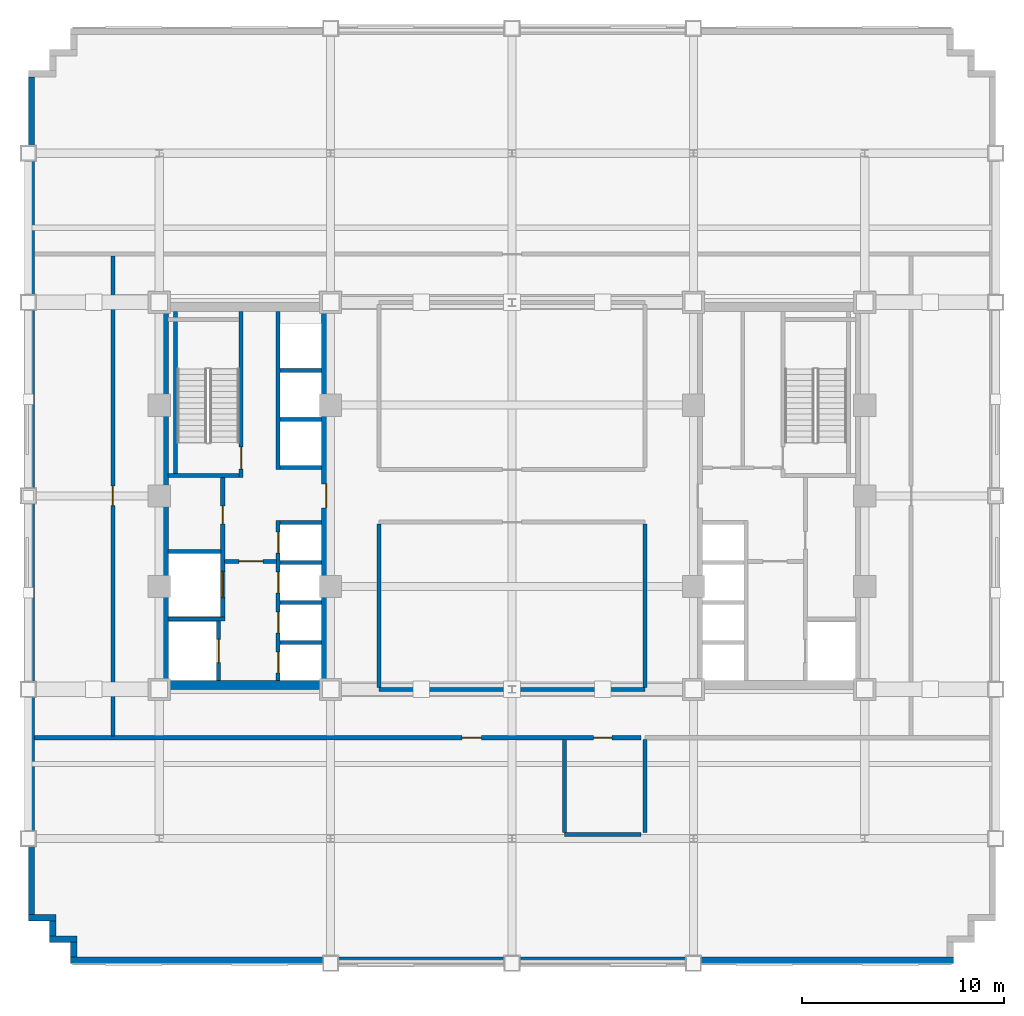
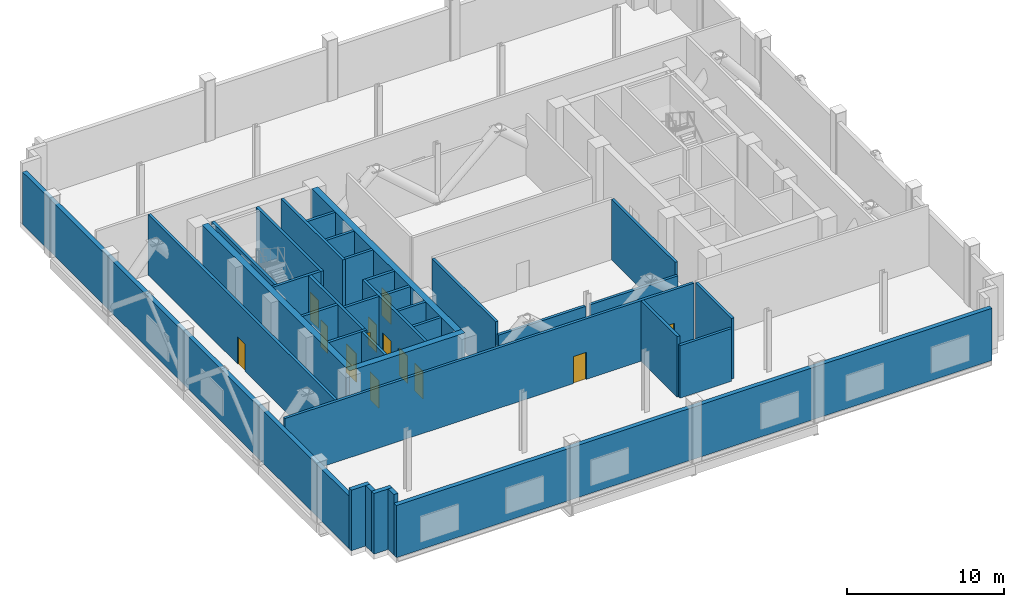
# One storey, part 6 of 12: 35 walls, 13 doors, 13 openings.
"""IFC4 building model written with IfcOpenShell, lengths in metres."""

from ifc_helpers import new_model, si_unit, direction, frame, frame_2d, origin, place, context, subcontext, project, spatial, rectangle, extrude, source, transform, mapped, material, layer, layer_set, type_object, type_shapes, element, fill, save


model = new_model("IFC4")

# Units and contexts
model_context = context("Model", 3, precision=1e-05, world=origin(), true_north=direction((0.0, 1.0)))
body_context = subcontext(model_context, "Body", "Model", "MODEL_VIEW")
ifc_project = project(units=[si_unit("LENGTHUNIT", "METRE"), si_unit("AREAUNIT", "SQUARE_METRE"), si_unit("VOLUMEUNIT", "CUBIC_METRE"), si_unit("PLANEANGLEUNIT", "RADIAN"), si_unit("MASSUNIT", "GRAM", prefix="KILO")], contexts=[model_context])

# Site, building, storey
site_placement = place(None, origin())
site = spatial("IfcSite", under=ifc_project, at=site_placement, CompositionType="ELEMENT")
building_placement = place(site_placement, origin())
building = spatial("IfcBuilding", under=site, at=building_placement, Name="Nuvemarco Arch Tower", CompositionType="ELEMENT")
storey_placement = place(building_placement, frame((0.0, 0.0, 93.300048828125)))
storey = spatial("IfcBuildingStorey", under=building, at=storey_placement, Name="L24", CompositionType="ELEMENT", Elevation=93.300048828125)

# Walls
ifc_material_1 = material(Name="Precast concrete C45/55", Category="concrete")
ifc_layer_1 = layer(ifc_material_1, 0.320068359375, Name="EW-MID-320")
ifc_layer_set_1 = layer_set([ifc_layer_1], Name="Precast concrete C45/55")
wall_type_1 = type_object("IfcWallType", Name="EW-MID-320", PredefinedType="STANDARD", material=ifc_layer_set_1)
wall_1_placement = place(storey_placement, frame((-21.89990234375, -23.0400390625, 0.0), z_axis=(0.0, 0.0, 1.0), x_axis=(1.0, 0.0, 0.0)))
element("IfcWall", 1, at=wall_1_placement, inside=storey, type_object=wall_type_1, Name="L24 exterior precast facade wall 1", PredefinedType="STANDARD", context=body_context, shape_type="SweptSolid", body=[
    extrude(rectangle(XDim=43.7998046875, YDim=0.320068359375, at=frame_2d((21.89990234375, 0.0))), origin(), (0.0, 0.0, 1.0), 4.054931640625),
])
wall_2_placement = place(storey_placement, frame((-23.840087890625, -20.783935546875, 0.0), z_axis=(0.0, 0.0, 1.0), x_axis=(0.0, 1.0, 0.0)))
element("IfcWall", 2, at=wall_2_placement, inside=storey, type_object=wall_type_1, Name="L24 exterior precast facade wall 16", PredefinedType="STANDARD", context=body_context, shape_type="SweptSolid", body=[
    extrude(rectangle(XDim=41.56787109375, YDim=0.320068359375, at=frame_2d((20.783935546875, 0.0))), origin(), (0.0, 0.0, 1.0), 4.054931640625),
])
wall_3_placement = place(storey_placement, frame((-24.0, -20.93994140625, 0.0), z_axis=(0.0, 0.0, 1.0), x_axis=(1.0, 0.0, 0.0)))
element("IfcWall", 3, at=wall_3_placement, inside=storey, type_object=wall_type_1, Name="L24 exterior precast facade wall 17", PredefinedType="STANDARD", context=body_context, shape_type="SweptSolid", body=[
    extrude(rectangle(XDim=1.3701171875, YDim=0.320068359375, at=frame_2d((0.68505859375, 0.0))), origin(), (0.0, 0.0, 1.0), 4.7099609375),
])
wall_4_placement = place(storey_placement, frame((-22.7900390625, -21.833984375, 0.0), z_axis=(0.0, 0.0, 1.0), x_axis=(0.0, 1.0, 0.0)))
element("IfcWall", 4, at=wall_4_placement, inside=storey, type_object=wall_type_1, Name="L24 exterior precast facade wall 18", PredefinedType="STANDARD", context=body_context, shape_type="SweptSolid", body=[
    extrude(rectangle(XDim=0.738037109375, YDim=0.320068359375, at=frame_2d((0.369140625, 0.0))), origin(), (0.0, 0.0, 1.0), 4.7099609375),
])
wall_5_placement = place(storey_placement, frame((-22.949951171875, -21.989990234375, 0.0), z_axis=(0.0, 0.0, 1.0), x_axis=(1.0, 0.0, 0.0)))
element("IfcWall", 5, at=wall_5_placement, inside=storey, type_object=wall_type_1, Name="L24 exterior precast facade wall 19", PredefinedType="STANDARD", context=body_context, shape_type="SweptSolid", body=[
    extrude(rectangle(XDim=1.369873046875, YDim=0.320068359375, at=frame_2d((0.68505859375, 0.0))), origin(), (0.0, 0.0, 1.0), 4.7099609375),
])
wall_6_placement = place(storey_placement, frame((-21.739990234375, -22.884033203125, 0.0), z_axis=(0.0, 0.0, 1.0), x_axis=(0.0, 1.0, 0.0)))
element("IfcWall", 6, at=wall_6_placement, inside=storey, type_object=wall_type_1, Name="L24 exterior precast facade wall 20", PredefinedType="STANDARD", context=body_context, shape_type="SweptSolid", body=[
    extrude(rectangle(XDim=0.738037109375, YDim=0.320068359375, at=frame_2d((0.369140625, 0.0))), origin(), (0.0, 0.0, 1.0), 4.7099609375),
])
ifc_material_2 = material(Name="Concrete C60/75", Category="concrete")
ifc_layer_2 = layer(ifc_material_2, 0.449951171875, Name="WL-CORE-450")
ifc_layer_set_2 = layer_set([ifc_layer_2], Name="Concrete C60/75")
wall_type_2 = type_object("IfcWallType", Name="WL-CORE-450", PredefinedType="SHEAR", material=ifc_layer_set_2)
wall_7_placement = place(storey_placement, frame((-17.5, -9.375, 0.0), z_axis=(0.0, 0.0, 1.0), x_axis=(1.0, 0.0, 0.0)))
element("IfcWall", 7, at=wall_7_placement, inside=storey, type_object=wall_type_2, Name="L24 W-core shear wall S", PredefinedType="SHEAR", context=body_context, shape_type="SweptSolid", body=[
    extrude(rectangle(XDim=8.5, YDim=0.449951171875, at=frame_2d((4.25, 0.0))), origin(), (0.0, 0.0, 1.0), 4.719970703125),
])
wall_8_placement = place(storey_placement, frame((-17.27490234375, -9.155029296875, 0.0), z_axis=(0.0, 0.0, 1.0), x_axis=(0.0, 1.0, 0.0)))
element("IfcWall", 8, at=wall_8_placement, inside=storey, type_object=wall_type_2, Name="L24 W-core shear wall W", PredefinedType="SHEAR", context=body_context, shape_type="SweptSolid", body=[
    extrude(rectangle(XDim=18.31005859375, YDim=0.449951171875, at=frame_2d((9.155029296875, 0.0))), origin(), (0.0, 0.0, 1.0), 4.719970703125),
])

# Wall, opening, door
wall_9_placement = place(storey_placement, frame((-9.22509765625, -9.155029296875, 0.0), z_axis=(0.0, 0.0, 1.0), x_axis=(0.0, 1.0, 0.0)))
wall_9 = element("IfcWall", 9, at=wall_9_placement, inside=storey, type_object=wall_type_2, Name="L24 W-core shear wall E", PredefinedType="SHEAR", context=body_context, shape_type="SweptSolid", body=[
    extrude(rectangle(XDim=18.31005859375, YDim=0.449951171875, at=frame_2d((9.155029296875, 0.0))), origin(), (0.0, 0.0, 1.0), 4.719970703125),
])
opening_1_placement = place(wall_9_placement, frame((8.554931640625, 0.0, 0.0)))
opening_1 = element("IfcOpeningElement", 10, at=opening_1_placement, cuts=wall_9, Name="Opening FD-2", PredefinedType="OPENING", context=body_context, shape_type="SweptSolid", body=[
    extrude(rectangle(XDim=1.199951171875, YDim=2.14990234375, at=frame_2d((0.60009765625, 1.074951171875))), frame((0.0, 0.23486328125, 0.0), z_axis=(0.0, -1.0, 0.0), x_axis=(1.0, 0.0, 0.0)), (0.0, 0.0, 1.0), 0.469970703125),
])
ifc_material_3 = material(Name="Anodised steel fire door", Category="steel")
door_type_1 = type_object("IfcDoorType", Name="DR-FFLOB-FD", OperationType="NOTDEFINED", PredefinedType="DOOR", material=ifc_material_3)
shared_shape_1 = source(origin(), body_context, "Body", "SweptSolid", [
    extrude(rectangle(XDim=1.199951171875, YDim=2.14990234375, at=frame_2d((0.60009765625, 1.074951171875))), frame((0.0, 0.02490234375, 0.0), z_axis=(0.0, -1.0, 0.0), x_axis=(1.0, 0.0, 0.0)), (0.0, 0.0, 1.0), 0.050048828125),
])
type_shapes(door_type_1, [shared_shape_1])
door_1_placement = place(opening_1_placement, origin())
door_1 = element("IfcDoor", 11, at=door_1_placement, inside=storey, type_object=door_type_1, Name="L24 door FD-L24-WCORE-E", OperationType="SINGLE_SWING_RIGHT", OverallHeight=2.14990234375, OverallWidth=1.199951171875, PredefinedType="DOOR", context=body_context, shape_type="MappedRepresentation", body=[
    mapped(shared_shape_1, transform((0.0, 0.0, 0.0), scale=1.0)),
])
fill(opening_1, door_1)

# Wall
ifc_layer_3 = layer(ifc_material_1, 0.199951171875, Name="WL-PLANT-200")
ifc_layer_set_3 = layer_set([ifc_layer_3], Name="Precast concrete C45/55")
wall_type_3 = type_object("IfcWallType", Name="WL-PLANT-200", PredefinedType="STANDARD", material=ifc_layer_set_3)
wall_10_placement = place(storey_placement, frame((2.60009765625, -16.800048828125, 0.0), z_axis=(0.0, 0.0, 1.0), x_axis=(1.0, 0.0, 0.0)))
element("IfcWall", 12, at=wall_10_placement, inside=storey, type_object=wall_type_3, Name="L24 interior wall IW-L24-001", PredefinedType="STANDARD", context=body_context, shape_type="SweptSolid", body=[
    extrude(rectangle(XDim=3.7998046875, YDim=0.199951171875, at=frame_2d((1.89990234375, 0.0))), origin(), (0.0, 0.0, 1.0), 4.087890625),
])

# Wall, openings, doors
wall_11_placement = place(storey_placement, frame((-23.679931640625, -12.0, 0.0), z_axis=(0.0, 0.0, 1.0), x_axis=(1.0, 0.0, 0.0)))
wall_11 = element("IfcWall", 13, at=wall_11_placement, inside=storey, type_object=wall_type_3, Name="L24 interior wall IW-L24-002", PredefinedType="STANDARD", context=body_context, shape_type="SweptSolid", body=[
    extrude(rectangle(XDim=30.079833984375, YDim=0.199951171875, at=frame_2d((15.0400390625, 0.0))), origin(), (0.0, 0.0, 1.0), 4.7099609375),
])
opening_2_placement = place(wall_11_placement, frame((21.199951171875, 0.0, 0.0)))
opening_2 = element("IfcOpeningElement", 14, at=opening_2_placement, cuts=wall_11, Name="Opening FD-5", PredefinedType="OPENING", context=body_context, shape_type="SweptSolid", body=[
    extrude(rectangle(XDim=0.9599609375, YDim=2.10009765625, at=frame_2d((0.47998046875, 1.050048828125))), frame((0.0, 0.10986328125, 0.0), z_axis=(0.0, -1.0, 0.0), x_axis=(1.0, 0.0, 0.0)), (0.0, 0.0, 1.0), 0.219970703125),
])
opening_3_placement = place(wall_11_placement, frame((27.72998046875, 0.0, 0.0)))
opening_3 = element("IfcOpeningElement", 15, at=opening_3_placement, cuts=wall_11, Name="Opening ID-3", PredefinedType="OPENING", context=body_context, shape_type="SweptSolid", body=[
    extrude(rectangle(XDim=0.89990234375, YDim=2.10009765625, at=frame_2d((0.449951171875, 1.050048828125))), frame((0.0, 0.10986328125, 0.0), z_axis=(0.0, -1.0, 0.0), x_axis=(1.0, 0.0, 0.0)), (0.0, 0.0, 1.0), 0.219970703125),
])
ifc_material_4 = material(Name="Timber fire door", Category="wood")
door_type_2 = type_object("IfcDoorType", Name="DR-CORR-FD", OperationType="NOTDEFINED", PredefinedType="DOOR", material=ifc_material_4)
shared_shape_2 = source(origin(), body_context, "Body", "SweptSolid", [
    extrude(rectangle(XDim=0.9599609375, YDim=2.10009765625, at=frame_2d((0.47998046875, 1.050048828125))), frame((0.0, 0.02490234375, 0.0), z_axis=(0.0, -1.0, 0.0), x_axis=(1.0, 0.0, 0.0)), (0.0, 0.0, 1.0), 0.050048828125),
])
type_shapes(door_type_2, [shared_shape_2])
door_2_placement = place(opening_2_placement, origin())
door_2 = element("IfcDoor", 16, at=door_2_placement, inside=storey, type_object=door_type_2, Name="L24 door DR-L24-REF_SOUTH", OperationType="SINGLE_SWING_LEFT", OverallHeight=2.10009765625, OverallWidth=0.9599609375, PredefinedType="DOOR", context=body_context, shape_type="MappedRepresentation", body=[
    mapped(shared_shape_2, transform((0.0, 0.0, 0.0), scale=1.0)),
])
fill(opening_2, door_2)
ifc_material_5 = material(Name="Veneered oak timber fire door", Category="wood")
door_type_3 = type_object("IfcDoorType", Name="DR-WC-ACC", OperationType="NOTDEFINED", PredefinedType="DOOR", material=ifc_material_5)
shared_shape_3 = source(origin(), body_context, "Body", "SweptSolid", [
    extrude(rectangle(XDim=0.89990234375, YDim=2.10009765625, at=frame_2d((0.449951171875, 1.050048828125))), frame((0.0, 0.02490234375, 0.0), z_axis=(0.0, -1.0, 0.0), x_axis=(1.0, 0.0, 0.0)), (0.0, 0.0, 1.0), 0.050048828125),
])
type_shapes(door_type_3, [shared_shape_3])
door_3_placement = place(opening_3_placement, origin())
door_3 = element("IfcDoor", 17, at=door_3_placement, inside=storey, type_object=door_type_3, Name="L24 door DR-L24-REF_WC", OperationType="SINGLE_SWING_RIGHT", OverallHeight=2.10009765625, OverallWidth=0.89990234375, PredefinedType="DOOR", context=body_context, shape_type="MappedRepresentation", body=[
    mapped(shared_shape_3, transform((0.0, 0.0, 0.0), scale=1.0)),
])
fill(opening_3, door_3)

# Walls
for number, where, z_axis, x_axis, name in (
    (18, (-6.60009765625, -9.60009765625, 0.0), (0.0, 0.0, 1.0), (1.0, 0.0, 0.0), "L24 interior wall IW-L24-004"),
    (19, (0.176025390625, -9.60009765625, 0.0), (0.0, 0.0, 1.0), (1.0, 0.0, 0.0), "L24 interior wall IW-L24-005"),
):
    element("IfcWall", number, at=place(storey_placement, frame(where, z_axis=z_axis, x_axis=x_axis)), inside=storey, type_object=wall_type_3, Name=name, PredefinedType="STANDARD", context=body_context, shape_type="SweptSolid", body=[
        extrude(rectangle(XDim=6.424072265625, YDim=0.199951171875, at=frame_2d((3.2119140625, 0.0))), origin(), (0.0, 0.0, 1.0), 3.7548828125),
    ])

# Wall, opening, door
wall_12_placement = place(storey_placement, frame((-19.800048828125, -11.904052734375, 0.0), z_axis=(0.0, 0.0, 1.0), x_axis=(0.0, 1.0, 0.0)))
wall_12 = element("IfcWall", 20, at=wall_12_placement, inside=storey, type_object=wall_type_3, Name="L24 interior wall IW-L24-011", PredefinedType="STANDARD", context=body_context, shape_type="SweptSolid", body=[
    extrude(rectangle(XDim=23.80810546875, YDim=0.199951171875, at=frame_2d((11.904052734375, 0.0))), origin(), (0.0, 0.0, 1.0), 4.7099609375),
])
opening_4_placement = place(wall_12_placement, frame((11.424072265625, 0.0, 0.0)))
opening_4 = element("IfcOpeningElement", 21, at=opening_4_placement, cuts=wall_12, Name="Opening FD-5", PredefinedType="OPENING", context=body_context, shape_type="SweptSolid", body=[
    extrude(rectangle(XDim=0.9599609375, YDim=2.10009765625, at=frame_2d((0.47998046875, 1.050048828125))), frame((0.0, 0.10986328125, 0.0), z_axis=(0.0, -1.0, 0.0), x_axis=(1.0, 0.0, 0.0)), (0.0, 0.0, 1.0), 0.219970703125),
])
door_4_placement = place(opening_4_placement, origin())
door_4 = element("IfcDoor", 22, at=door_4_placement, inside=storey, type_object=door_type_2, Name="L24 door DR-L24-PL_AHU", OperationType="SINGLE_SWING_RIGHT", OverallHeight=2.10009765625, OverallWidth=0.9599609375, PredefinedType="DOOR", context=body_context, shape_type="MappedRepresentation", body=[
    mapped(shared_shape_2, transform((0.0, 0.0, 0.0), scale=1.0)),
])
fill(opening_4, door_4)

# Walls
wall_13_placement = place(storey_placement, frame((-6.60009765625, -9.50390625, 0.0), z_axis=(0.0, 0.0, 1.0), x_axis=(0.0, 1.0, 0.0)))
element("IfcWall", 23, at=wall_13_placement, inside=storey, type_object=wall_type_3, Name="L24 interior wall IW-L24-012", PredefinedType="STANDARD", context=body_context, shape_type="SweptSolid", body=[
    extrude(rectangle(XDim=8.10791015625, YDim=0.199951171875, at=frame_2d((4.053955078125, 0.0))), origin(), (0.0, 0.0, 1.0), 4.7099609375),
])
for number, where, z_axis, x_axis, name in (
    (24, (2.60009765625, -16.7041015625, 0.0), (0.0, 0.0, 1.0), (0.0, 1.0, 0.0), "L24 interior wall IW-L24-014"),
    (25, (6.60009765625, -16.7041015625, 0.0), (0.0, 0.0, 1.0), (0.0, 1.0, 0.0), "L24 interior wall IW-L24-015"),
):
    element("IfcWall", number, at=place(storey_placement, frame(where, z_axis=z_axis, x_axis=x_axis)), inside=storey, type_object=wall_type_3, Name=name, PredefinedType="STANDARD", context=body_context, shape_type="SweptSolid", body=[
        extrude(rectangle(XDim=4.608154296875, YDim=0.199951171875, at=frame_2d((2.30419921875, 0.0))), origin(), (0.0, 0.0, 1.0), 4.7099609375),
    ])
wall_14_placement = place(storey_placement, frame((6.60009765625, -9.50390625, 0.0), z_axis=(0.0, 0.0, 1.0), x_axis=(0.0, 1.0, 0.0)))
element("IfcWall", 26, at=wall_14_placement, inside=storey, type_object=wall_type_3, Name="L24 interior wall IW-L24-016", PredefinedType="STANDARD", context=body_context, shape_type="SweptSolid", body=[
    extrude(rectangle(XDim=8.10791015625, YDim=0.199951171875, at=frame_2d((4.053955078125, 0.0))), origin(), (0.0, 0.0, 1.0), 4.7099609375),
])

# Wall, opening, door
ifc_material_6 = material(Name="Concrete C50/60", Category="concrete")
ifc_layer_4 = layer(ifc_material_6, 0.199951171875, Name="WL-SHAFT-220")
ifc_layer_set_4 = layer_set([ifc_layer_4], Name="Concrete C50/60")
wall_type_4 = type_object("IfcWallType", Name="WL-SHAFT-220", PredefinedType="SHEAR", material=ifc_layer_set_4)
wall_15_placement = place(storey_placement, frame((-13.43994140625, 0.89990234375, 0.0), z_axis=(0.0, 0.0, 1.0), x_axis=(0.0, 1.0, 0.0)))
wall_15 = element("IfcWall", 27, at=wall_15_placement, inside=storey, type_object=wall_type_4, Name="L24 structural shaft wall SW-L24-W-ST1E", PredefinedType="SHEAR", context=body_context, shape_type="SweptSolid", body=[
    extrude(rectangle(XDim=8.255126953125, YDim=0.199951171875, at=frame_2d((4.12744140625, 0.0))), origin(), (0.0, 0.0, 1.0), 4.719970703125),
])
opening_5_placement = place(wall_15_placement, frame((1.530029296875, 0.0, 0.0), z_axis=(0.0, 0.0, 1.0), x_axis=(-1.0, 0.0, 0.0)))
opening_5 = element("IfcOpeningElement", 28, at=opening_5_placement, cuts=wall_15, Name="Opening FD-1", PredefinedType="OPENING", context=body_context, shape_type="SweptSolid", body=[
    extrude(rectangle(XDim=1.10009765625, YDim=2.14990234375, at=frame_2d((0.550048828125, 1.074951171875))), frame((0.0, 0.10986328125, 0.0), z_axis=(0.0, -1.0, 0.0), x_axis=(1.0, 0.0, 0.0)), (0.0, 0.0, 1.0), 0.219970703125),
])
door_type_4 = type_object("IfcDoorType", Name="DR-STAIR-FD", OperationType="NOTDEFINED", PredefinedType="DOOR", material=ifc_material_3)
shared_shape_4 = source(origin(), body_context, "Body", "SweptSolid", [
    extrude(rectangle(XDim=1.10009765625, YDim=2.14990234375, at=frame_2d((0.550048828125, 1.074951171875))), frame((0.0, 0.02490234375, 0.0), z_axis=(0.0, -1.0, 0.0), x_axis=(1.0, 0.0, 0.0)), (0.0, 0.0, 1.0), 0.050048828125),
])
type_shapes(door_type_4, [shared_shape_4])
door_5_placement = place(opening_5_placement, origin())
door_5 = element("IfcDoor", 29, at=door_5_placement, inside=storey, type_object=door_type_4, Name="L24 door FD-L24-ST1", OperationType="SINGLE_SWING_RIGHT", OverallHeight=2.14990234375, OverallWidth=1.10009765625, PredefinedType="DOOR", context=body_context, shape_type="MappedRepresentation", body=[
    mapped(shared_shape_4, transform((0.0, 0.0, 0.0), scale=1.0)),
])
fill(opening_5, door_5)

# Walls
wall_16_placement = place(storey_placement, frame((-17.054931640625, 1.0, 0.0), z_axis=(0.0, 0.0, 1.0), x_axis=(1.0, 0.0, 0.0)))
element("IfcWall", 30, at=wall_16_placement, inside=storey, type_object=wall_type_4, Name="L24 structural shaft wall SW-L24-W-ST1S", PredefinedType="SHEAR", context=body_context, shape_type="SweptSolid", body=[
    extrude(rectangle(XDim=3.52001953125, YDim=0.199951171875, at=frame_2d((1.760009765625, 0.0))), origin(), (0.0, 0.0, 1.0), 4.719970703125),
])
wall_17_placement = place(storey_placement, frame((-16.699951171875, 1.094970703125, 0.0), z_axis=(0.0, 0.0, 1.0), x_axis=(0.0, 1.0, 0.0)))
element("IfcWall", 31, at=wall_17_placement, inside=storey, type_object=wall_type_4, Name="L24 structural shaft wall SW-L24-W-ST1W", PredefinedType="SHEAR", context=body_context, shape_type="SweptSolid", body=[
    extrude(rectangle(XDim=8.06005859375, YDim=0.199951171875, at=frame_2d((4.030029296875, 0.0))), origin(), (0.0, 0.0, 1.0), 4.719970703125),
])

# Wall, opening, door
wall_18_placement = place(storey_placement, frame((-14.550048828125, -9.155029296875, 0.0), z_axis=(0.0, 0.0, 1.0), x_axis=(0.0, 1.0, 0.0)))
wall_18 = element("IfcWall", 32, at=wall_18_placement, inside=storey, type_object=wall_type_4, Name="L24 structural shaft wall SW-L24-W-SHE", PredefinedType="SHEAR", context=body_context, shape_type="SweptSolid", body=[
    extrude(rectangle(XDim=2.9599609375, YDim=0.199951171875, at=frame_2d((1.47998046875, 0.0))), origin(), (0.0, 0.0, 1.0), 4.719970703125),
])
opening_6_placement = place(wall_18_placement, frame((0.8798828125, 0.0, 0.0)))
opening_6 = element("IfcOpeningElement", 33, at=opening_6_placement, cuts=wall_18, Name="Opening LD-2", PredefinedType="OPENING", context=body_context, shape_type="SweptSolid", body=[
    extrude(rectangle(XDim=1.14990234375, YDim=2.14990234375, at=frame_2d((0.574951171875, 1.074951171875))), frame((0.0, 0.10986328125, 0.0), z_axis=(0.0, -1.0, 0.0), x_axis=(1.0, 0.0, 0.0)), (0.0, 0.0, 1.0), 0.219970703125),
])
ifc_material_7 = material(Name="Stainless steel lift door", Category="steel")
door_type_5 = type_object("IfcDoorType", Name="DR-LIFT-FIRE", OperationType="DOUBLE_DOOR_SLIDING", PredefinedType="DOOR", material=ifc_material_7)
shared_shape_5 = source(origin(), body_context, "Body", "SweptSolid", [
    extrude(rectangle(XDim=1.14990234375, YDim=2.14990234375, at=frame_2d((0.574951171875, 1.074951171875))), frame((0.0, 0.02490234375, 0.0), z_axis=(0.0, -1.0, 0.0), x_axis=(1.0, 0.0, 0.0)), (0.0, 0.0, 1.0), 0.050048828125),
])
type_shapes(door_type_5, [shared_shape_5])
door_6_placement = place(opening_6_placement, origin())
door_6 = element("IfcDoor", 34, at=door_6_placement, inside=storey, type_object=door_type_5, Name="L24 Lift landing sliding door FFL-1", OperationType="DOUBLE_DOOR_SLIDING", OverallHeight=2.14990234375, OverallWidth=1.14990234375, PredefinedType="DOOR", context=body_context, shape_type="MappedRepresentation", body=[
    mapped(shared_shape_5, transform((0.0, 0.0, 0.0), scale=1.0)),
])
fill(opening_6, door_6)

# Wall, openings, doors
wall_19_placement = place(storey_placement, frame((-14.35009765625, -6.199951171875, 0.0), z_axis=(0.0, 0.0, 1.0), x_axis=(0.0, 1.0, 0.0)))
wall_19 = element("IfcWall", 35, at=wall_19_placement, inside=storey, type_object=wall_type_4, Name="L24 structural shaft wall SW-L24-W-SVE", PredefinedType="SHEAR", context=body_context, shape_type="SweptSolid", body=[
    extrude(rectangle(XDim=7.10498046875, YDim=0.199951171875, at=frame_2d((3.552490234375, 0.0))), origin(), (0.0, 0.0, 1.0), 4.719970703125),
])
opening_7_placement = place(wall_19_placement, frame((5.68994140625, 0.0, 0.0), z_axis=(0.0, 0.0, 1.0), x_axis=(-1.0, 0.0, 0.0)))
opening_7 = element("IfcOpeningElement", 36, at=opening_7_placement, cuts=wall_19, Name="Opening FD-4", PredefinedType="OPENING", context=body_context, shape_type="SweptSolid", body=[
    extrude(rectangle(XDim=0.8798828125, YDim=2.10009765625, at=frame_2d((0.43994140625, 1.050048828125))), frame((0.0, 0.10986328125, 0.0), z_axis=(0.0, -1.0, 0.0), x_axis=(1.0, 0.0, 0.0)), (0.0, 0.0, 1.0), 0.219970703125),
])
opening_8_placement = place(wall_19_placement, frame((1.14990234375, 0.0, 0.0)))
opening_8 = element("IfcOpeningElement", 37, at=opening_8_placement, cuts=wall_19, Name="Opening LD-3", PredefinedType="OPENING", context=body_context, shape_type="SweptSolid", body=[
    extrude(rectangle(XDim=1.300048828125, YDim=2.199951171875, at=frame_2d((0.64990234375, 1.10009765625))), frame((0.0, 0.10986328125, 0.0), z_axis=(0.0, -1.0, 0.0), x_axis=(1.0, 0.0, 0.0)), (0.0, 0.0, 1.0), 0.219970703125),
])
door_type_6 = type_object("IfcDoorType", Name="DR-RISER-FD", OperationType="NOTDEFINED", PredefinedType="DOOR", material=ifc_material_3)
shared_shape_6 = source(origin(), body_context, "Body", "SweptSolid", [
    extrude(rectangle(XDim=0.8798828125, YDim=2.10009765625, at=frame_2d((0.43994140625, 1.050048828125))), frame((0.0, 0.02490234375, 0.0), z_axis=(0.0, -1.0, 0.0), x_axis=(1.0, 0.0, 0.0)), (0.0, 0.0, 1.0), 0.050048828125),
])
type_shapes(door_type_6, [shared_shape_6])
door_7_placement = place(opening_7_placement, origin())
door_7 = element("IfcDoor", 38, at=door_7_placement, inside=storey, type_object=door_type_6, Name="L24 door FD-L24-WRIS", OperationType="SINGLE_SWING_RIGHT", OverallHeight=2.10009765625, OverallWidth=0.8798828125, PredefinedType="DOOR", context=body_context, shape_type="MappedRepresentation", body=[
    mapped(shared_shape_6, transform((0.0, 0.0, 0.0), scale=1.0)),
])
fill(opening_7, door_7)
door_type_7 = type_object("IfcDoorType", Name="DR-LIFT-SERV", OperationType="DOUBLE_DOOR_SLIDING", PredefinedType="DOOR", material=ifc_material_7)
shared_shape_7 = source(origin(), body_context, "Body", "SweptSolid", [
    extrude(rectangle(XDim=1.300048828125, YDim=2.199951171875, at=frame_2d((0.64990234375, 1.10009765625))), frame((0.0, 0.02490234375, 0.0), z_axis=(0.0, -1.0, 0.0), x_axis=(1.0, 0.0, 0.0)), (0.0, 0.0, 1.0), 0.050048828125),
])
type_shapes(door_type_7, [shared_shape_7])
door_8_placement = place(opening_8_placement, origin())
door_8 = element("IfcDoor", 39, at=door_8_placement, inside=storey, type_object=door_type_7, Name="L24 Lift landing sliding door SVL-1", OperationType="DOUBLE_DOOR_SLIDING", OverallHeight=2.199951171875, OverallWidth=1.300048828125, PredefinedType="DOOR", context=body_context, shape_type="MappedRepresentation", body=[
    mapped(shared_shape_7, transform((0.0, 0.0, 0.0), scale=1.0)),
])
fill(opening_8, door_8)

# Walls
wall_20_placement = place(storey_placement, frame((-17.054931640625, -6.10009765625, 0.0), z_axis=(0.0, 0.0, 1.0), x_axis=(1.0, 0.0, 0.0)))
element("IfcWall", 40, at=wall_20_placement, inside=storey, type_object=wall_type_4, Name="L24 structural shaft wall SW-L24-W-SH1", PredefinedType="SHEAR", context=body_context, shape_type="SweptSolid", body=[
    extrude(rectangle(XDim=2.804931640625, YDim=0.199951171875, at=frame_2d((1.40234375, 0.0))), origin(), (0.0, 0.0, 1.0), 4.719970703125),
])
wall_21_placement = place(storey_placement, frame((-17.054931640625, -2.75, 0.0), z_axis=(0.0, 0.0, 1.0), x_axis=(1.0, 0.0, 0.0)))
element("IfcWall", 41, at=wall_21_placement, inside=storey, type_object=wall_type_4, Name="L24 structural shaft wall SW-L24-W-SH2", PredefinedType="SHEAR", context=body_context, shape_type="SweptSolid", body=[
    extrude(rectangle(XDim=2.60986328125, YDim=0.199951171875, at=frame_2d((1.304931640625, 0.0))), origin(), (0.0, 0.0, 1.0), 4.719970703125),
])

# Wall, openings, doors
wall_22_placement = place(storey_placement, frame((-11.60009765625, -9.155029296875, 0.0), z_axis=(0.0, 0.0, 1.0), x_axis=(0.0, 1.0, 0.0)))
wall_22 = element("IfcWall", 42, at=wall_22_placement, inside=storey, type_object=wall_type_4, Name="L24 structural shaft wall SW-L24-W-PLW", PredefinedType="SHEAR", context=body_context, shape_type="SweptSolid", body=[
    extrude(rectangle(XDim=7.925048828125, YDim=0.199951171875, at=frame_2d((3.96240234375, 0.0))), origin(), (0.0, 0.0, 1.0), 4.719970703125),
])
opening_9_placement = place(wall_22_placement, frame((0.3701171875, 0.0, 0.0)))
opening_9 = element("IfcOpeningElement", 43, at=opening_9_placement, cuts=wall_22, Name="Opening LD-1", PredefinedType="OPENING", context=body_context, shape_type="SweptSolid", body=[
    extrude(rectangle(XDim=1.050048828125, YDim=2.14990234375, at=frame_2d((0.52490234375, 1.074951171875))), frame((0.0, 0.10986328125, 0.0), z_axis=(0.0, -1.0, 0.0), x_axis=(1.0, 0.0, 0.0)), (0.0, 0.0, 1.0), 0.219970703125),
])
opening_10_placement = place(wall_22_placement, frame((2.35009765625, 0.0, 0.0)))
opening_10 = element("IfcOpeningElement", 44, at=opening_10_placement, cuts=wall_22, Name="Opening LD-1", PredefinedType="OPENING", context=body_context, shape_type="SweptSolid", body=[
    extrude(rectangle(XDim=1.050048828125, YDim=2.14990234375, at=frame_2d((0.52490234375, 1.074951171875))), frame((0.0, 0.10986328125, 0.0), z_axis=(0.0, -1.0, 0.0), x_axis=(1.0, 0.0, 0.0)), (0.0, 0.0, 1.0), 0.219970703125),
])
opening_11_placement = place(wall_22_placement, frame((4.330078125, 0.0, 0.0)))
opening_11 = element("IfcOpeningElement", 45, at=opening_11_placement, cuts=wall_22, Name="Opening LD-1", PredefinedType="OPENING", context=body_context, shape_type="SweptSolid", body=[
    extrude(rectangle(XDim=1.050048828125, YDim=2.14990234375, at=frame_2d((0.52490234375, 1.074951171875))), frame((0.0, 0.10986328125, 0.0), z_axis=(0.0, -1.0, 0.0), x_axis=(1.0, 0.0, 0.0)), (0.0, 0.0, 1.0), 0.219970703125),
])
opening_12_placement = place(wall_22_placement, frame((6.31005859375, 0.0, 0.0)))
opening_12 = element("IfcOpeningElement", 46, at=opening_12_placement, cuts=wall_22, Name="Opening LD-1", PredefinedType="OPENING", context=body_context, shape_type="SweptSolid", body=[
    extrude(rectangle(XDim=1.050048828125, YDim=2.14990234375, at=frame_2d((0.52490234375, 1.074951171875))), frame((0.0, 0.10986328125, 0.0), z_axis=(0.0, -1.0, 0.0), x_axis=(1.0, 0.0, 0.0)), (0.0, 0.0, 1.0), 0.219970703125),
])
door_type_8 = type_object("IfcDoorType", Name="DR-LIFT-PASS", OperationType="DOUBLE_DOOR_SLIDING", PredefinedType="DOOR", material=ifc_material_7)
shared_shape_8 = source(origin(), body_context, "Body", "SweptSolid", [
    extrude(rectangle(XDim=1.050048828125, YDim=2.14990234375, at=frame_2d((0.52490234375, 1.074951171875))), frame((0.0, 0.02490234375, 0.0), z_axis=(0.0, -1.0, 0.0), x_axis=(1.0, 0.0, 0.0)), (0.0, 0.0, 1.0), 0.050048828125),
])
type_shapes(door_type_8, [shared_shape_8])
door_9_placement = place(opening_9_placement, origin())
door_9 = element("IfcDoor", 47, at=door_9_placement, inside=storey, type_object=door_type_8, Name="L24 Lift landing sliding door PL-1", OperationType="DOUBLE_DOOR_SLIDING", OverallHeight=2.14990234375, OverallWidth=1.050048828125, PredefinedType="DOOR", context=body_context, shape_type="MappedRepresentation", body=[
    mapped(shared_shape_8, transform((0.0, 0.0, 0.0), scale=1.0)),
])
fill(opening_9, door_9)
door_10_placement = place(opening_10_placement, origin())
door_10 = element("IfcDoor", 48, at=door_10_placement, inside=storey, type_object=door_type_8, Name="L24 Lift landing sliding door PL-2", OperationType="DOUBLE_DOOR_SLIDING", OverallHeight=2.14990234375, OverallWidth=1.050048828125, PredefinedType="DOOR", context=body_context, shape_type="MappedRepresentation", body=[
    mapped(shared_shape_8, transform((0.0, 0.0, 0.0), scale=1.0)),
])
fill(opening_10, door_10)
door_11_placement = place(opening_11_placement, origin())
door_11 = element("IfcDoor", 49, at=door_11_placement, inside=storey, type_object=door_type_8, Name="L24 Lift landing sliding door PL-3", OperationType="DOUBLE_DOOR_SLIDING", OverallHeight=2.14990234375, OverallWidth=1.050048828125, PredefinedType="DOOR", context=body_context, shape_type="MappedRepresentation", body=[
    mapped(shared_shape_8, transform((0.0, 0.0, 0.0), scale=1.0)),
])
fill(opening_11, door_11)
door_12_placement = place(opening_12_placement, origin())
door_12 = element("IfcDoor", 50, at=door_12_placement, inside=storey, type_object=door_type_8, Name="L24 Lift landing sliding door PL-4", OperationType="DOUBLE_DOOR_SLIDING", OverallHeight=2.14990234375, OverallWidth=1.050048828125, PredefinedType="DOOR", context=body_context, shape_type="MappedRepresentation", body=[
    mapped(shared_shape_8, transform((0.0, 0.0, 0.0), scale=1.0)),
])
fill(opening_12, door_12)

# Wall, opening, door
wall_23_placement = place(storey_placement, frame((-14.2548828125, -3.25, 0.0), z_axis=(0.0, 0.0, 1.0), x_axis=(1.0, 0.0, 0.0)))
wall_23 = element("IfcWall", 51, at=wall_23_placement, inside=storey, type_object=wall_type_4, Name="L24 structural shaft wall SW-L24-W-FFN", PredefinedType="SHEAR", context=body_context, shape_type="SweptSolid", body=[
    extrude(rectangle(XDim=2.559814453125, YDim=0.199951171875, at=frame_2d((1.27978515625, 0.0))), origin(), (0.0, 0.0, 1.0), 4.719970703125),
])
opening_13_placement = place(wall_23_placement, frame((0.705078125, 0.0, 0.0)))
opening_13 = element("IfcOpeningElement", 52, at=opening_13_placement, cuts=wall_23, Name="Opening FD-2", PredefinedType="OPENING", context=body_context, shape_type="SweptSolid", body=[
    extrude(rectangle(XDim=1.199951171875, YDim=2.14990234375, at=frame_2d((0.60009765625, 1.074951171875))), frame((0.0, 0.10986328125, 0.0), z_axis=(0.0, -1.0, 0.0), x_axis=(1.0, 0.0, 0.0)), (0.0, 0.0, 1.0), 0.219970703125),
])
door_13_placement = place(opening_13_placement, origin())
door_13 = element("IfcDoor", 53, at=door_13_placement, inside=storey, type_object=door_type_1, Name="L24 door FD-L24-WFF1", OperationType="SINGLE_SWING_RIGHT", OverallHeight=2.14990234375, OverallWidth=1.199951171875, PredefinedType="DOOR", context=body_context, shape_type="MappedRepresentation", body=[
    mapped(shared_shape_1, transform((0.0, 0.0, 0.0), scale=1.0)),
])
fill(opening_13, door_13)

# Walls
for number, where, z_axis, x_axis, name in (
    (54, (-11.5048828125, -7.27001953125, 0.0), (0.0, 0.0, 1.0), (1.0, 0.0, 0.0), "L24 structural shaft wall SW-L24-W-PLD1"),
    (55, (-11.5048828125, -5.2900390625, 0.0), (0.0, 0.0, 1.0), (1.0, 0.0, 0.0), "L24 structural shaft wall SW-L24-W-PLD2"),
    (56, (-11.5048828125, -3.31005859375, 0.0), (0.0, 0.0, 1.0), (1.0, 0.0, 0.0), "L24 structural shaft wall SW-L24-W-PLD3"),
    (57, (-11.5048828125, -1.330078125, 0.0), (0.0, 0.0, 1.0), (1.0, 0.0, 0.0), "L24 structural shaft wall SW-L24-W-PLD4"),
):
    element("IfcWall", number, at=place(storey_placement, frame(where, z_axis=z_axis, x_axis=x_axis)), inside=storey, type_object=wall_type_4, Name=name, PredefinedType="SHEAR", context=body_context, shape_type="SweptSolid", body=[
        extrude(rectangle(XDim=2.059814453125, YDim=0.199951171875, at=frame_2d((1.02978515625, 0.0))), origin(), (0.0, 0.0, 1.0), 4.719970703125),
    ])
wall_24_placement = place(storey_placement, frame((-11.60009765625, 1.300048828125, 0.0), z_axis=(0.0, 0.0, 1.0), x_axis=(0.0, 1.0, 0.0)))
element("IfcWall", 58, at=wall_24_placement, inside=storey, type_object=wall_type_4, Name="L24 structural shaft wall SW-L24-W-PHW", PredefinedType="SHEAR", context=body_context, shape_type="SweptSolid", body=[
    extrude(rectangle(XDim=7.85498046875, YDim=0.199951171875, at=frame_2d((3.927490234375, 0.0))), origin(), (0.0, 0.0, 1.0), 4.719970703125),
])
for number, where, z_axis, x_axis, name in (
    (59, (-11.5048828125, 1.39990234375, 0.0), (0.0, 0.0, 1.0), (1.0, 0.0, 0.0), "L24 structural shaft wall SW-L24-W-PHD1"),
    (60, (-11.5048828125, 3.800048828125, 0.0), (0.0, 0.0, 1.0), (1.0, 0.0, 0.0), "L24 structural shaft wall SW-L24-W-PHD2"),
    (61, (-11.5048828125, 6.219970703125, 0.0), (0.0, 0.0, 1.0), (1.0, 0.0, 0.0), "L24 structural shaft wall SW-L24-W-PHD3"),
):
    element("IfcWall", number, at=place(storey_placement, frame(where, z_axis=z_axis, x_axis=x_axis)), inside=storey, type_object=wall_type_4, Name=name, PredefinedType="SHEAR", context=body_context, shape_type="SweptSolid", body=[
        extrude(rectangle(XDim=2.059814453125, YDim=0.199951171875, at=frame_2d((1.02978515625, 0.0))), origin(), (0.0, 0.0, 1.0), 4.719970703125),
    ])

save(model, "model.ifc")
